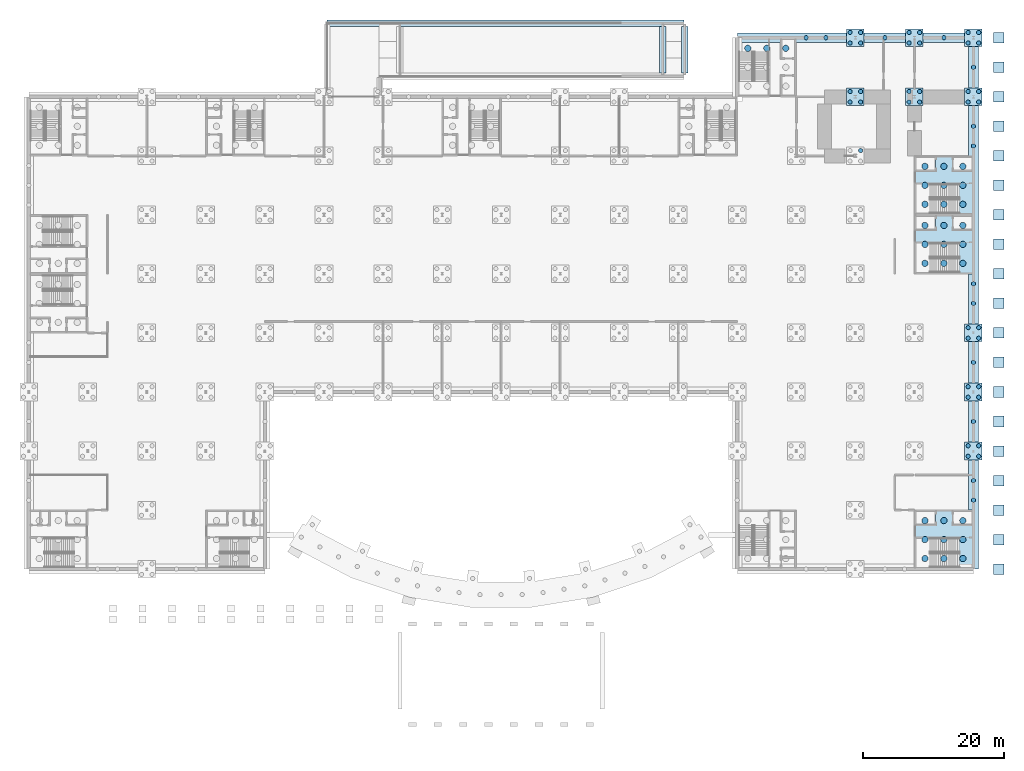
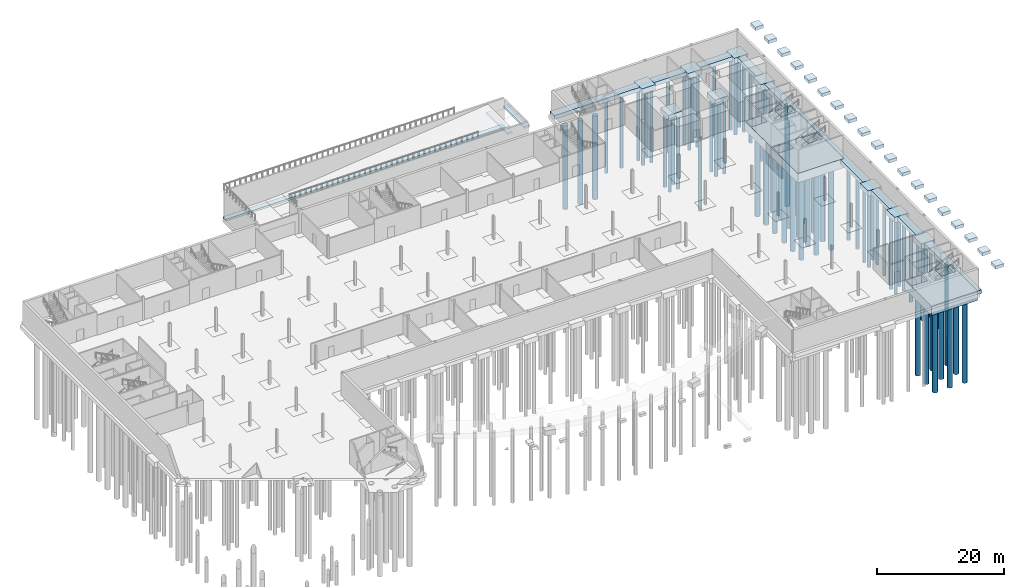
# One storey, part 4 of 35: 80 piles, 36 footings.
"""IFC4 building model written with IfcOpenShell, lengths in metres."""

from ifc_helpers import new_model, si_unit, direction, frame, origin, origin_2d, place, context, subcontext, project, spatial, polyline, rectangle, circle, outline, extrude, material, material_profile, profile_set, type_object, element, save


model = new_model("IFC4")

# Units and contexts
model_context = context("Model", 3, precision=1e-05, world=origin(), true_north=direction((0.0, 1.0)))
body_context = subcontext(model_context, "Body", "Model", "MODEL_VIEW")
ifc_project = project(units=[si_unit("LENGTHUNIT", "METRE"), si_unit("AREAUNIT", "SQUARE_METRE"), si_unit("VOLUMEUNIT", "CUBIC_METRE"), si_unit("PLANEANGLEUNIT", "RADIAN"), si_unit("MASSUNIT", "GRAM", prefix="KILO")], contexts=[model_context])

# Site, building, storey
site_placement = place(None, origin())
site = spatial("IfcSite", under=ifc_project, at=site_placement, CompositionType="ELEMENT")
building_placement = place(site_placement, origin())
building = spatial("IfcBuilding", under=site, at=building_placement, Name="Ardhachandra Cancer Care Centre", CompositionType="ELEMENT")
storey_placement = place(building_placement, frame((0.0, 0.0, -4.5)))
storey = spatial("IfcBuildingStorey", under=building, at=storey_placement, Name="B1", CompositionType="ELEMENT", Elevation=-4.5)

# Footings
ifc_material_1 = material(Name="Concrete M30", Category="concrete")
footing_type_1 = type_object("IfcFootingType", Name="Arcade pad footing 1500 x 1500", PredefinedType="PAD_FOOTING", material=ifc_material_1)
for number, where, z_axis, x_axis, name in (
    (1, (148.800048828125, 29.39990234375, 3.599853515625), (0.0, 0.0, 1.0), (1.0, 0.0, 0.0), "Arcade pad footing 1"),
    (2, (148.800048828125, 33.60009765625, 3.599853515625), (0.0, 0.0, 1.0), (1.0, 0.0, 0.0), "Arcade pad footing 2"),
    (3, (148.800048828125, 37.800048828125, 3.599853515625), (0.0, 0.0, 1.0), (1.0, 0.0, 0.0), "Arcade pad footing 3"),
    (4, (148.800048828125, 42.0, 3.599853515625), (0.0, 0.0, 1.0), (1.0, 0.0, 0.0), "Arcade pad footing 4"),
    (5, (148.800048828125, 46.199951171875, 3.599853515625), (0.0, 0.0, 1.0), (1.0, 0.0, 0.0), "Arcade pad footing 5"),
    (6, (148.800048828125, 50.39990234375, 3.599853515625), (0.0, 0.0, 1.0), (1.0, 0.0, 0.0), "Arcade pad footing 6"),
    (7, (148.800048828125, 54.60009765625, 3.599853515625), (0.0, 0.0, 1.0), (1.0, 0.0, 0.0), "Arcade pad footing 7"),
    (8, (148.800048828125, 58.800048828125, 3.599853515625), (0.0, 0.0, 1.0), (1.0, 0.0, 0.0), "Arcade pad footing 8"),
    (9, (148.800048828125, 63.0, 3.599853515625), (0.0, 0.0, 1.0), (1.0, 0.0, 0.0), "Arcade pad footing 9"),
    (10, (148.800048828125, 67.199951171875, 3.599853515625), (0.0, 0.0, 1.0), (1.0, 0.0, 0.0), "Arcade pad footing 10"),
    (11, (148.800048828125, 71.39990234375, 3.599853515625), (0.0, 0.0, 1.0), (1.0, 0.0, 0.0), "Arcade pad footing 11"),
    (12, (148.800048828125, 75.60009765625, 3.599853515625), (0.0, 0.0, 1.0), (1.0, 0.0, 0.0), "Arcade pad footing 12"),
    (13, (148.800048828125, 79.800048828125, 3.599853515625), (0.0, 0.0, 1.0), (1.0, 0.0, 0.0), "Arcade pad footing 13"),
    (14, (148.800048828125, 84.0, 3.599853515625), (0.0, 0.0, 1.0), (1.0, 0.0, 0.0), "Arcade pad footing 14"),
    (15, (148.800048828125, 88.199951171875, 3.599853515625), (0.0, 0.0, 1.0), (1.0, 0.0, 0.0), "Arcade pad footing 15"),
    (16, (148.800048828125, 92.39990234375, 3.599853515625), (0.0, 0.0, 1.0), (1.0, 0.0, 0.0), "Arcade pad footing 16"),
    (17, (148.800048828125, 96.60009765625, 3.599853515625), (0.0, 0.0, 1.0), (1.0, 0.0, 0.0), "Arcade pad footing 17"),
    (18, (148.800048828125, 100.800048828125, 3.599853515625), (0.0, 0.0, 1.0), (1.0, 0.0, 0.0), "Arcade pad footing 18"),
    (19, (148.800048828125, 105.0, 3.599853515625), (0.0, 0.0, 1.0), (1.0, 0.0, 0.0), "Arcade pad footing 19"),
):
    element("IfcFooting", number, at=place(storey_placement, frame(where, z_axis=z_axis, x_axis=x_axis)), inside=storey, type_object=footing_type_1, Name=name, PredefinedType="PAD_FOOTING", context=body_context, shape_type="SweptSolid", body=[
        extrude(rectangle(XDim=1.5, YDim=1.5, at=origin_2d()), origin(), (0.0, 0.0, 1.0), 0.60009765625),
    ])

# Piles
ifc_material_2 = material(Name="Concrete M35", Category="concrete")
ifc_material_profile_1 = material_profile(ifc_material_2, circle(Radius=0.300048828125, at=origin_2d()), Name="D600")
ifc_profile_set_1 = profile_set([ifc_material_profile_1], Name="Concrete M35")
pile_type_1 = type_object("IfcPileType", Name="Bored pile D600", PredefinedType="BORED", material=ifc_profile_set_1)
for number, where, z_axis, x_axis, name in (
    (20, (144.449951171875, 45.449951171875, -0.89990234375), (0.0, 0.0, -1.0), (1.0, 0.0, 0.0), "Pile E17-1"),
    (21, (145.949951171875, 45.449951171875, -0.89990234375), (0.0, 0.0, -1.0), (1.0, 0.0, 0.0), "Pile E17-2"),
    (22, (144.449951171875, 46.949951171875, -0.89990234375), (0.0, 0.0, -1.0), (1.0, 0.0, 0.0), "Pile E17-3"),
    (23, (145.949951171875, 46.949951171875, -0.89990234375), (0.0, 0.0, -1.0), (1.0, 0.0, 0.0), "Pile E17-4"),
    (24, (144.449951171875, 53.85009765625, -0.89990234375), (0.0, 0.0, -1.0), (1.0, 0.0, 0.0), "Pile F17-1"),
    (25, (145.949951171875, 53.85009765625, -0.89990234375), (0.0, 0.0, -1.0), (1.0, 0.0, 0.0), "Pile F17-2"),
    (26, (144.449951171875, 55.35009765625, -0.89990234375), (0.0, 0.0, -1.0), (1.0, 0.0, 0.0), "Pile F17-3"),
    (27, (145.949951171875, 55.35009765625, -0.89990234375), (0.0, 0.0, -1.0), (1.0, 0.0, 0.0), "Pile F17-4"),
    (28, (144.449951171875, 62.25, -0.89990234375), (0.0, 0.0, -1.0), (1.0, 0.0, 0.0), "Pile G17-1"),
    (29, (145.949951171875, 62.25, -0.89990234375), (0.0, 0.0, -1.0), (1.0, 0.0, 0.0), "Pile G17-2"),
    (30, (144.449951171875, 63.75, -0.89990234375), (0.0, 0.0, -1.0), (1.0, 0.0, 0.0), "Pile G17-3"),
    (31, (145.949951171875, 63.75, -0.89990234375), (0.0, 0.0, -1.0), (1.0, 0.0, 0.0), "Pile G17-4"),
    (32, (129.14990234375, 88.949951171875, -0.89990234375), (0.0, 0.0, -1.0), (1.0, 0.0, 0.0), "Pile K15-4"),
    (33, (127.64990234375, 95.85009765625, -0.89990234375), (0.0, 0.0, -1.0), (1.0, 0.0, 0.0), "Pile L15-1"),
    (34, (129.14990234375, 95.85009765625, -0.89990234375), (0.0, 0.0, -1.0), (1.0, 0.0, 0.0), "Pile L15-2"),
    (35, (127.64990234375, 97.35009765625, -0.89990234375), (0.0, 0.0, -1.0), (1.0, 0.0, 0.0), "Pile L15-3"),
    (36, (129.14990234375, 97.35009765625, -0.89990234375), (0.0, 0.0, -1.0), (1.0, 0.0, 0.0), "Pile L15-4"),
    (37, (136.050048828125, 95.85009765625, -0.89990234375), (0.0, 0.0, -1.0), (1.0, 0.0, 0.0), "Pile L16-1"),
    (38, (137.550048828125, 95.85009765625, -0.89990234375), (0.0, 0.0, -1.0), (1.0, 0.0, 0.0), "Pile L16-2"),
    (39, (136.050048828125, 97.35009765625, -0.89990234375), (0.0, 0.0, -1.0), (1.0, 0.0, 0.0), "Pile L16-3"),
    (40, (137.550048828125, 97.35009765625, -0.89990234375), (0.0, 0.0, -1.0), (1.0, 0.0, 0.0), "Pile L16-4"),
    (41, (144.449951171875, 95.85009765625, -0.89990234375), (0.0, 0.0, -1.0), (1.0, 0.0, 0.0), "Pile L17-1"),
    (42, (145.949951171875, 95.85009765625, -0.89990234375), (0.0, 0.0, -1.0), (1.0, 0.0, 0.0), "Pile L17-2"),
    (43, (144.449951171875, 97.35009765625, -0.89990234375), (0.0, 0.0, -1.0), (1.0, 0.0, 0.0), "Pile L17-3"),
    (44, (145.949951171875, 97.35009765625, -0.89990234375), (0.0, 0.0, -1.0), (1.0, 0.0, 0.0), "Pile L17-4"),
    (45, (127.64990234375, 104.25, -0.89990234375), (0.0, 0.0, -1.0), (1.0, 0.0, 0.0), "Pile M15-1"),
    (46, (129.14990234375, 104.25, -0.89990234375), (0.0, 0.0, -1.0), (1.0, 0.0, 0.0), "Pile M15-2"),
    (47, (127.64990234375, 105.75, -0.89990234375), (0.0, 0.0, -1.0), (1.0, 0.0, 0.0), "Pile M15-3"),
    (48, (129.14990234375, 105.75, -0.89990234375), (0.0, 0.0, -1.0), (1.0, 0.0, 0.0), "Pile M15-4"),
    (49, (136.050048828125, 104.25, -0.89990234375), (0.0, 0.0, -1.0), (1.0, 0.0, 0.0), "Pile M16-1"),
    (50, (137.550048828125, 104.25, -0.89990234375), (0.0, 0.0, -1.0), (1.0, 0.0, 0.0), "Pile M16-2"),
    (51, (136.050048828125, 105.75, -0.89990234375), (0.0, 0.0, -1.0), (1.0, 0.0, 0.0), "Pile M16-3"),
    (52, (137.550048828125, 105.75, -0.89990234375), (0.0, 0.0, -1.0), (1.0, 0.0, 0.0), "Pile M16-4"),
    (53, (144.449951171875, 104.25, -0.89990234375), (0.0, 0.0, -1.0), (1.0, 0.0, 0.0), "Pile M17-1"),
    (54, (145.949951171875, 104.25, -0.89990234375), (0.0, 0.0, -1.0), (1.0, 0.0, 0.0), "Pile M17-2"),
    (55, (144.449951171875, 105.75, -0.89990234375), (0.0, 0.0, -1.0), (1.0, 0.0, 0.0), "Pile M17-3"),
    (56, (145.949951171875, 105.75, -0.89990234375), (0.0, 0.0, -1.0), (1.0, 0.0, 0.0), "Pile M17-4"),
    (57, (145.199951171875, 39.199951171875, -0.64990234375), (0.0, 0.0, -1.0), (1.0, 0.0, 0.0), "Pile W04-04"),
    (58, (145.199951171875, 42.0, -0.64990234375), (0.0, 0.0, -1.0), (1.0, 0.0, 0.0), "Pile W04-05"),
    (59, (145.199951171875, 50.39990234375, -0.64990234375), (0.0, 0.0, -1.0), (1.0, 0.0, 0.0), "Pile W04-08"),
    (60, (145.199951171875, 58.800048828125, -0.64990234375), (0.0, 0.0, -1.0), (1.0, 0.0, 0.0), "Pile W04-11"),
    (61, (145.199951171875, 67.199951171875, -0.64990234375), (0.0, 0.0, -1.0), (1.0, 0.0, 0.0), "Pile W04-14"),
    (62, (145.199951171875, 70.0, -0.64990234375), (0.0, 0.0, -1.0), (1.0, 0.0, 0.0), "Pile W04-15"),
    (63, (145.199951171875, 89.60009765625, -0.64990234375), (0.0, 0.0, -1.0), (1.0, 0.0, 0.0), "Pile W04-22"),
    (64, (145.199951171875, 92.39990234375, -0.64990234375), (0.0, 0.0, -1.0), (1.0, 0.0, 0.0), "Pile W04-23"),
    (65, (145.199951171875, 100.800048828125, -0.64990234375), (0.0, 0.0, -1.0), (1.0, 0.0, 0.0), "Pile W04-26"),
    (66, (141.0, 105.0, -0.64990234375), (0.0, 0.0, -1.0), (1.0, 0.0, 0.0), "Pile W05-02"),
    (67, (132.60009765625, 105.0, -0.64990234375), (0.0, 0.0, -1.0), (1.0, 0.0, 0.0), "Pile W05-05"),
    (68, (124.199951171875, 105.0, -0.64990234375), (0.0, 0.0, -1.0), (1.0, 0.0, 0.0), "Pile W05-08"),
    (69, (121.39990234375, 105.0, -0.64990234375), (0.0, 0.0, -1.0), (1.0, 0.0, 0.0), "Pile W05-09"),
):
    element("IfcPile", number, at=place(storey_placement, frame(where, z_axis=z_axis, x_axis=x_axis)), inside=storey, type_object=pile_type_1, Name=name, PredefinedType="BORED", context=body_context, shape_type="SweptSolid", body=[
        extrude(circle(Radius=0.300048828125, at=origin_2d()), origin(), (0.0, 0.0, 1.0), 14.10009765625),
    ])
ifc_material_3 = material(Name="Concrete M35", Category="concrete")
ifc_material_profile_2 = material_profile(ifc_material_3, circle(Radius=0.449951171875, at=origin_2d()), Name="D900")
ifc_profile_set_2 = profile_set([ifc_material_profile_2], Name="Concrete M35")
pile_type_2 = type_object("IfcPileType", Name="Bored pile D900", PredefinedType="BORED", material=ifc_profile_set_2)
for number, where, z_axis, x_axis, name in (
    (70, (138.300048828125, 30.89990234375, -1.699951171875), (0.0, 0.0, -1.0), (1.0, 0.0, 0.0), "Pile K9-1"),
    (71, (141.0, 30.89990234375, -1.699951171875), (0.0, 0.0, -1.0), (1.0, 0.0, 0.0), "Pile K9-2"),
    (72, (143.699951171875, 30.89990234375, -1.699951171875), (0.0, 0.0, -1.0), (1.0, 0.0, 0.0), "Pile K9-3"),
    (73, (138.300048828125, 33.60009765625, -1.699951171875), (0.0, 0.0, -1.0), (1.0, 0.0, 0.0), "Pile K9-4"),
    (74, (141.0, 33.60009765625, -1.699951171875), (0.0, 0.0, -1.0), (1.0, 0.0, 0.0), "Pile K9-5"),
    (75, (143.699951171875, 33.60009765625, -1.699951171875), (0.0, 0.0, -1.0), (1.0, 0.0, 0.0), "Pile K9-6"),
    (76, (138.300048828125, 36.300048828125, -1.699951171875), (0.0, 0.0, -1.0), (1.0, 0.0, 0.0), "Pile K9-7"),
    (77, (141.0, 36.300048828125, -1.699951171875), (0.0, 0.0, -1.0), (1.0, 0.0, 0.0), "Pile K9-8"),
    (78, (143.699951171875, 36.300048828125, -1.699951171875), (0.0, 0.0, -1.0), (1.0, 0.0, 0.0), "Pile K9-9"),
    (79, (138.300048828125, 72.89990234375, -1.699951171875), (0.0, 0.0, -1.0), (1.0, 0.0, 0.0), "Pile K10-1"),
    (80, (141.0, 72.89990234375, -1.699951171875), (0.0, 0.0, -1.0), (1.0, 0.0, 0.0), "Pile K10-2"),
    (81, (143.699951171875, 72.89990234375, -1.699951171875), (0.0, 0.0, -1.0), (1.0, 0.0, 0.0), "Pile K10-3"),
    (82, (138.300048828125, 75.60009765625, -1.699951171875), (0.0, 0.0, -1.0), (1.0, 0.0, 0.0), "Pile K10-4"),
    (83, (141.0, 75.60009765625, -1.699951171875), (0.0, 0.0, -1.0), (1.0, 0.0, 0.0), "Pile K10-5"),
    (84, (143.699951171875, 75.60009765625, -1.699951171875), (0.0, 0.0, -1.0), (1.0, 0.0, 0.0), "Pile K10-6"),
    (85, (138.300048828125, 78.300048828125, -1.699951171875), (0.0, 0.0, -1.0), (1.0, 0.0, 0.0), "Pile K10-7"),
    (86, (141.0, 78.300048828125, -1.699951171875), (0.0, 0.0, -1.0), (1.0, 0.0, 0.0), "Pile K10-8"),
    (87, (143.699951171875, 78.300048828125, -1.699951171875), (0.0, 0.0, -1.0), (1.0, 0.0, 0.0), "Pile K10-9"),
    (88, (113.10009765625, 103.5, -1.699951171875), (0.0, 0.0, -1.0), (1.0, 0.0, 0.0), "Pile K12-7"),
    (89, (115.800048828125, 103.5, -1.699951171875), (0.0, 0.0, -1.0), (1.0, 0.0, 0.0), "Pile K12-8"),
    (90, (118.5, 103.5, -1.699951171875), (0.0, 0.0, -1.0), (1.0, 0.0, 0.0), "Pile K12-9"),
    (91, (138.300048828125, 81.300048828125, -1.699951171875), (0.0, 0.0, -1.0), (1.0, 0.0, 0.0), "Pile K13-1"),
    (92, (141.0, 81.300048828125, -1.699951171875), (0.0, 0.0, -1.0), (1.0, 0.0, 0.0), "Pile K13-2"),
    (93, (143.699951171875, 81.300048828125, -1.699951171875), (0.0, 0.0, -1.0), (1.0, 0.0, 0.0), "Pile K13-3"),
    (94, (138.300048828125, 84.0, -1.699951171875), (0.0, 0.0, -1.0), (1.0, 0.0, 0.0), "Pile K13-4"),
    (95, (141.0, 84.0, -1.699951171875), (0.0, 0.0, -1.0), (1.0, 0.0, 0.0), "Pile K13-5"),
    (96, (143.699951171875, 84.0, -1.699951171875), (0.0, 0.0, -1.0), (1.0, 0.0, 0.0), "Pile K13-6"),
    (97, (138.300048828125, 86.699951171875, -1.699951171875), (0.0, 0.0, -1.0), (1.0, 0.0, 0.0), "Pile K13-7"),
    (98, (141.0, 86.699951171875, -1.699951171875), (0.0, 0.0, -1.0), (1.0, 0.0, 0.0), "Pile K13-8"),
    (99, (143.699951171875, 86.699951171875, -1.699951171875), (0.0, 0.0, -1.0), (1.0, 0.0, 0.0), "Pile K13-9"),
):
    element("IfcPile", number, at=place(storey_placement, frame(where, z_axis=z_axis, x_axis=x_axis)), inside=storey, type_object=pile_type_2, Name=name, PredefinedType="BORED", context=body_context, shape_type="SweptSolid", body=[
        extrude(circle(Radius=0.449951171875, at=origin_2d()), origin(), (0.0, 0.0, 1.0), 16.10009765625),
    ])

# Footings
ifc_material_4 = material(Name="Concrete M40", Category="concrete")
footing_type_2 = type_object("IfcFootingType", Name="Core raft 8400x8400x1800", PredefinedType="PILE_CAP", material=ifc_material_4)
footing_1_placement = place(storey_placement, frame((0.0, 0.0, -1.800048828125)))
element("IfcFooting", 100, at=footing_1_placement, inside=storey, type_object=footing_type_2, Name="Core raft K9", PredefinedType="PILE_CAP", context=body_context, shape_type="SweptSolid", body=[
    extrude(outline(polyline([(136.800048828125, 29.39990234375), (145.199951171875, 29.39990234375), (145.199951171875, 37.800048828125), (136.800048828125, 37.800048828125), (136.800048828125, 29.39990234375)]), holes=[polyline([(137.0, 35.75), (139.75, 35.75), (139.75, 37.60009765625), (137.0, 37.60009765625), (137.0, 35.75)]), polyline([(142.324951171875, 35.75), (144.97509765625, 35.75), (144.97509765625, 37.60009765625), (142.324951171875, 37.60009765625), (142.324951171875, 35.75)])]), origin(), (0.0, 0.0, 1.0), 1.800048828125),
])
footing_2_placement = place(storey_placement, frame((0.0, 0.0, -1.800048828125)))
element("IfcFooting", 101, at=footing_2_placement, inside=storey, type_object=footing_type_2, Name="Core raft K10", PredefinedType="PILE_CAP", context=body_context, shape_type="SweptSolid", body=[
    extrude(outline(polyline([(136.800048828125, 71.39990234375), (145.199951171875, 71.39990234375), (145.199951171875, 79.800048828125), (136.800048828125, 79.800048828125), (136.800048828125, 71.39990234375)]), holes=[polyline([(137.0, 77.75), (139.75, 77.75), (139.75, 79.60009765625), (137.0, 79.60009765625), (137.0, 77.75)]), polyline([(142.324951171875, 77.75), (144.97509765625, 77.75), (144.97509765625, 79.60009765625), (142.324951171875, 79.60009765625), (142.324951171875, 77.75)])]), origin(), (0.0, 0.0, 1.0), 1.800048828125),
])
footing_3_placement = place(storey_placement, frame((0.0, 0.0, -1.800048828125)))
element("IfcFooting", 102, at=footing_3_placement, inside=storey, type_object=footing_type_2, Name="Core raft K13", PredefinedType="PILE_CAP", context=body_context, shape_type="SweptSolid", body=[
    extrude(outline(polyline([(136.800048828125, 79.800048828125), (145.199951171875, 79.800048828125), (145.199951171875, 88.199951171875), (136.800048828125, 88.199951171875), (136.800048828125, 79.800048828125)]), holes=[polyline([(137.0, 86.14990234375), (139.75, 86.14990234375), (139.75, 88.0), (137.0, 88.0), (137.0, 86.14990234375)]), polyline([(142.324951171875, 86.14990234375), (144.97509765625, 86.14990234375), (144.97509765625, 88.0), (142.324951171875, 88.0), (142.324951171875, 86.14990234375)])]), origin(), (0.0, 0.0, 1.0), 1.800048828125),
])
ifc_material_5 = material(Name="Concrete M40", Category="concrete")
footing_type_3 = type_object("IfcFootingType", Name="Pile cap 2500x2500x1000", PredefinedType="PILE_CAP", material=ifc_material_5)
for number, where, z_axis, x_axis, name in (
    (103, (145.199951171875, 46.199951171875, -1.0), (0.0, 0.0, 1.0), (1.0, 0.0, 0.0), "Pile cap E17"),
    (104, (145.199951171875, 54.60009765625, -1.0), (0.0, 0.0, 1.0), (1.0, 0.0, 0.0), "Pile cap F17"),
    (105, (145.199951171875, 63.0, -1.0), (0.0, 0.0, 1.0), (1.0, 0.0, 0.0), "Pile cap G17"),
    (106, (128.39990234375, 96.60009765625, -1.0), (0.0, 0.0, 1.0), (1.0, 0.0, 0.0), "Pile cap L15"),
    (107, (136.800048828125, 96.60009765625, -1.0), (0.0, 0.0, 1.0), (1.0, 0.0, 0.0), "Pile cap L16"),
    (108, (145.199951171875, 96.60009765625, -1.0), (0.0, 0.0, 1.0), (1.0, 0.0, 0.0), "Pile cap L17"),
    (109, (128.39990234375, 105.0, -1.0), (0.0, 0.0, 1.0), (1.0, 0.0, 0.0), "Pile cap M15"),
    (110, (136.800048828125, 105.0, -1.0), (0.0, 0.0, 1.0), (1.0, 0.0, 0.0), "Pile cap M16"),
    (111, (145.199951171875, 105.0, -1.0), (0.0, 0.0, 1.0), (1.0, 0.0, 0.0), "Pile cap M17"),
):
    element("IfcFooting", number, at=place(storey_placement, frame(where, z_axis=z_axis, x_axis=x_axis)), inside=storey, type_object=footing_type_3, Name=name, PredefinedType="PILE_CAP", context=body_context, shape_type="SweptSolid", body=[
        extrude(rectangle(XDim=2.5, YDim=2.5, at=origin_2d()), origin(), (0.0, 0.0, 1.0), 1.0),
    ])
ifc_material_6 = material(Name="Concrete M40", Category="concrete")
footing_type_4 = type_object("IfcFootingType", Name="Ramp strip footing 900", PredefinedType="STRIP_FOOTING", material=ifc_material_6)
footing_4_placement = place(storey_placement, frame((104.0, 107.074951171875, -1.300048828125), z_axis=(0.0, 0.0, 1.0), x_axis=(-1.0, 0.0, 0.0)))
element("IfcFooting", 112, at=footing_4_placement, inside=storey, type_object=footing_type_4, Name="Ramp footing north", PredefinedType="STRIP_FOOTING", context=body_context, shape_type="SweptSolid", body=[
    extrude(outline(polyline([(0.0, 0.0), (50.77490234375, 0.0), (50.77490234375, 0.400146484375), (0.0, 0.400146484375), (0.0, 0.0)])), frame((0.0, 0.449951171875, 0.0), z_axis=(0.0, -1.0, 0.0), x_axis=(1.0, 0.0, 0.0)), (0.0, 0.0, 1.0), 0.89990234375),
])
footing_5_placement = place(storey_placement, frame((104.125, 99.97509765625, 2.89990234375), z_axis=(0.0, 0.0, 1.0), x_axis=(0.0, 1.0, 0.0)))
element("IfcFooting", 113, at=footing_5_placement, inside=storey, type_object=footing_type_4, Name="Ramp footing across abutment", PredefinedType="STRIP_FOOTING", context=body_context, shape_type="SweptSolid", body=[
    extrude(outline(polyline([(0.0, 0.0), (6.64990234375, 0.0), (6.64990234375, 0.400146484375), (0.0, 0.400146484375), (0.0, 0.0)])), frame((0.0, 0.449951171875, 0.0), z_axis=(0.0, -1.0, 0.0), x_axis=(1.0, 0.0, 0.0)), (0.0, 0.0, 1.0), 0.89990234375),
])
footing_6_placement = place(storey_placement, frame((101.0, 99.97509765625, 2.73291015625), z_axis=(0.0, 0.0, 1.0), x_axis=(0.0, 1.0, 0.0)))
element("IfcFooting", 114, at=footing_6_placement, inside=storey, type_object=footing_type_4, Name="Ramp footing across top", PredefinedType="STRIP_FOOTING", context=body_context, shape_type="SweptSolid", body=[
    extrude(outline(polyline([(0.0, 0.0), (6.64990234375, 0.0), (6.64990234375, 0.39990234375), (0.0, 0.39990234375), (0.0, 0.0)])), frame((0.0, 0.449951171875, 0.0), z_axis=(0.0, -1.0, 0.0), x_axis=(1.0, 0.0, 0.0)), (0.0, 0.0, 1.0), 0.89990234375),
])
ifc_material_7 = material(Name="Concrete M40", Category="concrete")
footing_type_5 = type_object("IfcFootingType", Name="Strip footing 1400x750", PredefinedType="STRIP_FOOTING", material=ifc_material_7)
footing_7_placement = place(storey_placement, frame((0.0, 0.0, -0.75)))
element("IfcFooting", 115, at=footing_7_placement, inside=storey, type_object=footing_type_5, Name="Strip footing 04", PredefinedType="STRIP_FOOTING", context=body_context, shape_type="SweptSolid", body=[
    extrude(outline(polyline([(145.89990234375, 29.39990234375), (145.89990234375, 105.0), (144.5, 105.0), (144.5, 29.39990234375), (145.89990234375, 29.39990234375)])), origin(), (0.0, 0.0, 1.0), 0.75),
])
footing_8_placement = place(storey_placement, frame((0.0, 0.0, -0.75)))
element("IfcFooting", 116, at=footing_8_placement, inside=storey, type_object=footing_type_5, Name="Strip footing 05", PredefinedType="STRIP_FOOTING", context=body_context, shape_type="SweptSolid", body=[
    extrude(outline(polyline([(145.199951171875, 105.699951171875), (111.60009765625, 105.699951171875), (111.60009765625, 104.300048828125), (145.199951171875, 104.300048828125), (145.199951171875, 105.699951171875)])), origin(), (0.0, 0.0, 1.0), 0.75),
])

save(model, "model.ifc")
